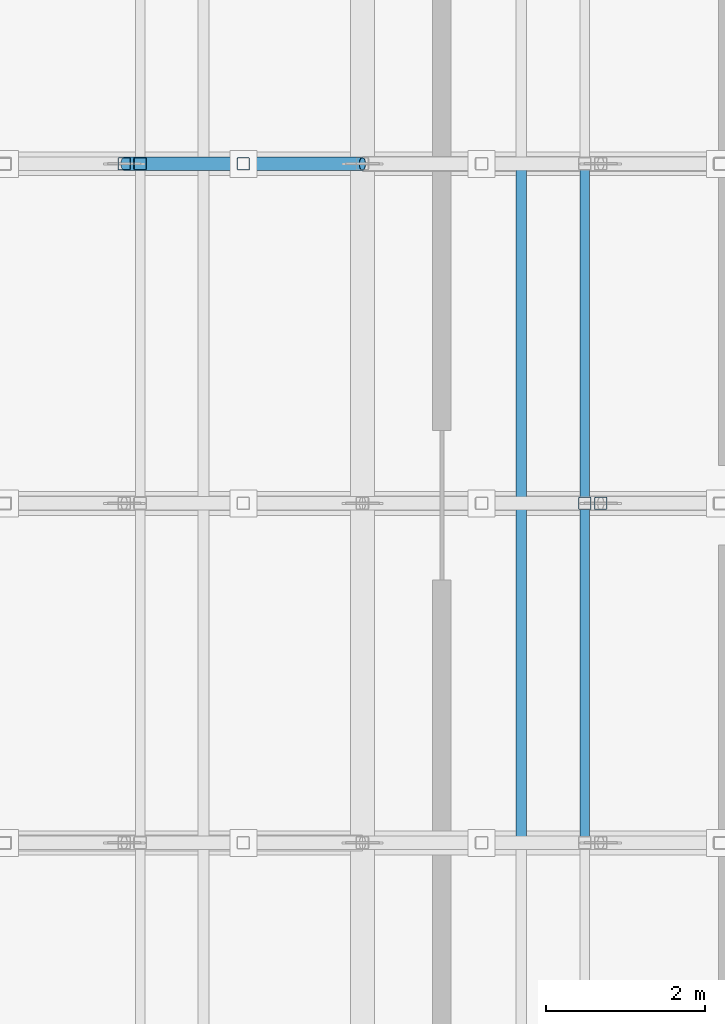
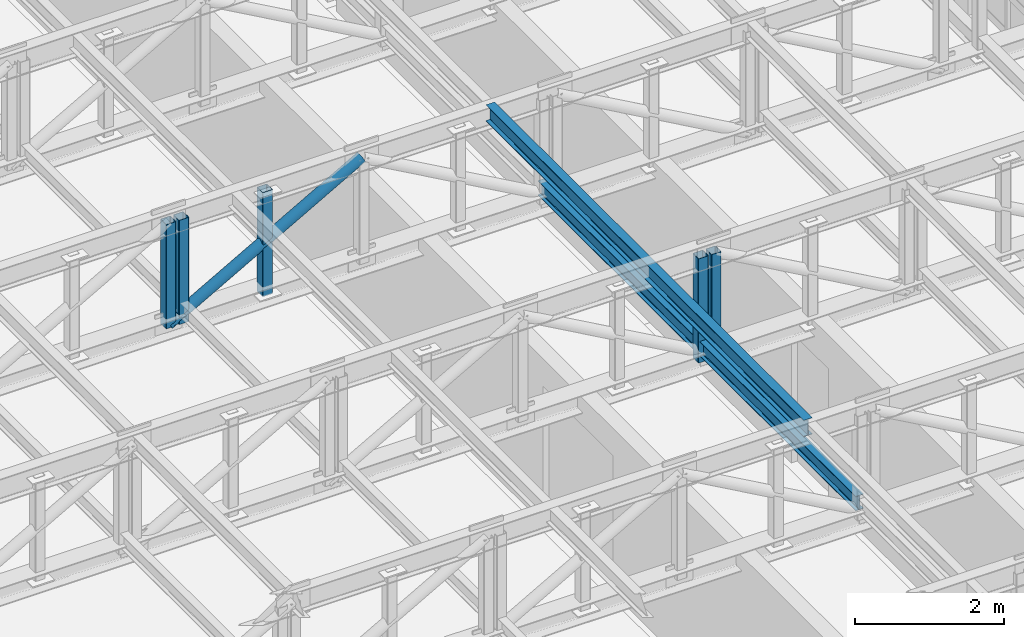
# One storey, part 43 of 128: 8 members.
"""IFC4 building model written with IfcOpenShell, lengths in metres."""

import ifcopenshell
import ifcopenshell.guid

model = None  # the IFC model being written
_history = None  # IfcOwnerHistory: only IFC2X3 demands one
_inside = {}  # id of a spatial element -> (the spatial element, [elements in it])
_under = {}  # id of a project, library or spatial element -> (it, [spatial elements below it])
_declared = {}  # id of a project -> (the project, [libraries it declares])
_typed = {}  # id of a type object -> (the type object, [elements of that type])
_made_of = {}  # id of a material, layer set ... -> (it, [elements and type objects made of it])


def new_model(schema):
    """Start an empty IFC model of exactly this schema.

    Asked for "IFC4X3", IfcOpenShell would pick the latest addendum, in which some entities
    have other attributes; the version numbers below select the first issue.
    IFC2X3 requires an IfcOwnerHistory on every rooted entity: one is made here for all.
    """
    global model, _history
    if schema == "IFC4X3":
        model = ifcopenshell.file(schema_version=(4, 3, 0, 0))
    else:
        model = ifcopenshell.file(schema=schema)
    _inside.clear()
    _under.clear()
    _declared.clear()
    _typed.clear()
    _made_of.clear()
    _history = None
    if model.schema == "IFC2X3":
        org = make("IfcOrganization", Name="unknown")
        user = make(
            "IfcPersonAndOrganization",
            ThePerson=make("IfcPerson", FamilyName="unknown"),
            TheOrganization=org,
        )
        app = make(
            "IfcApplication",
            ApplicationDeveloper=org,
            Version="unknown",
            ApplicationFullName="unknown",
            ApplicationIdentifier="unknown",
        )
        _history = make(
            "IfcOwnerHistory",
            OwningUser=user,
            OwningApplication=app,
            ChangeAction="ADDED",
            CreationDate=0,
        )
    return model


def make(cls, **values):
    """One entity of the class cls with the attributes given. An attribute that is None is left unset."""
    return model.create_entity(
        cls, **{name: value for name, value in values.items() if value is not None}
    )


def rooted(cls, **values):
    """An entity with a GlobalId (a new one), such as an element, a storey or a relation."""
    return make(cls, GlobalId=ifcopenshell.guid.new(), OwnerHistory=_history, **values)


def si_unit(unit_type, name, prefix=None):
    """IfcSIUnit, for example si_unit("LENGTHUNIT", "METRE", prefix="MILLI")."""
    return make("IfcSIUnit", UnitType=unit_type, Prefix=prefix, Name=name)


def assignment(units):
    """IfcUnitAssignment: the units of a project."""
    return None if units is None else make("IfcUnitAssignment", Units=units)


def point(xyz):
    """IfcCartesianPoint."""
    return None if xyz is None else make("IfcCartesianPoint", Coordinates=xyz)


def direction(xyz):
    """IfcDirection."""
    return None if xyz is None else make("IfcDirection", DirectionRatios=xyz)


def frame(location, z_axis=None, x_axis=None):
    """IfcAxis2Placement3D, a coordinate frame: its origin and axes. An axis left out is left unset."""
    return make(
        "IfcAxis2Placement3D",
        Location=point(location),
        Axis=direction(z_axis),
        RefDirection=direction(x_axis),
    )


def frame_2d(location, x_axis=None):
    """IfcAxis2Placement2D, a coordinate frame in the plane: its origin and x axis."""
    return make(
        "IfcAxis2Placement2D", Location=point(location), RefDirection=direction(x_axis)
    )


def origin():
    """The frame at (0, 0, 0) with its axes left unset."""
    return frame((0.0, 0.0, 0.0))


def origin_2d():
    """The frame at (0, 0) in the plane with its x axis left unset."""
    return frame_2d((0.0, 0.0))


def place(relative_to, where):
    """IfcLocalPlacement: puts the frame where relative to a parent placement (None: the world)."""
    return make(
        "IfcLocalPlacement", PlacementRelTo=relative_to, RelativePlacement=where
    )


def context(
    kind, dimensions, precision=None, world=None, true_north=None, identifier=None
):
    """IfcGeometricRepresentationContext, for example the 3D "Model" context."""
    return make(
        "IfcGeometricRepresentationContext",
        ContextIdentifier=identifier,
        ContextType=kind,
        CoordinateSpaceDimension=dimensions,
        Precision=precision,
        WorldCoordinateSystem=world,
        TrueNorth=true_north,
    )


def subcontext(parent, identifier, kind, view, scale=None):
    """IfcGeometricRepresentationSubContext, for example "Body" below "Model"."""
    return make(
        "IfcGeometricRepresentationSubContext",
        ContextIdentifier=identifier,
        ContextType=kind,
        ParentContext=parent,
        TargetScale=scale,
        TargetView=view,
    )


def project(units=None, contexts=None):
    """IfcProject with its units and contexts."""
    return rooted(
        "IfcProject",
        Name="project",
        RepresentationContexts=contexts,
        UnitsInContext=assignment(units),
    )


def spatial(cls, under=None, at=None, **own):
    """A site, building, storey or space (cls), placed at a placement, below another one or the project."""
    s = rooted(cls, ObjectPlacement=at, **own)
    if under is not None:
        _under.setdefault(under.id(), (under, []))[1].append(s)
    return s


def profile(cls, at=None, kind="AREA", **sizes):
    """A parametric profile (cls). Its sizes go by their IFC names, for example OverallWidth=200.0."""
    return make(cls, ProfileType=kind, Position=at, **sizes)


def hollow_rectangle(**sizes):
    """IfcRectangleHollowProfileDef."""
    return profile("IfcRectangleHollowProfileDef", **sizes)


def hollow_circle(**sizes):
    """IfcCircleHollowProfileDef."""
    return profile("IfcCircleHollowProfileDef", **sizes)


def i_section(**sizes):
    """IfcIShapeProfileDef."""
    return profile("IfcIShapeProfileDef", **sizes)


def extrude(swept, where, along, depth):
    """IfcExtrudedAreaSolid: the profile swept, set in the frame where, extruded along a direction by depth."""
    return make(
        "IfcExtrudedAreaSolid",
        SweptArea=swept,
        Position=where,
        ExtrudedDirection=direction(along),
        Depth=depth,
    )


def shape(context_of_items, identifier, shape_type, items):
    """IfcShapeRepresentation: the items that make up one representation, for example the "Body"."""
    return make(
        "IfcShapeRepresentation",
        ContextOfItems=context_of_items,
        RepresentationIdentifier=identifier,
        RepresentationType=shape_type,
        Items=items,
    )


def material(Name=None, Category=None):
    """IfcMaterial."""
    return make("IfcMaterial", Name=Name, Category=Category)


def material_profile(
    of_material, cross_section, Name=None, Category=None, Priority=None
):
    """IfcMaterialProfile: a cross section and its material."""
    return make(
        "IfcMaterialProfile",
        Name=Name,
        Material=of_material,
        Profile=cross_section,
        Priority=Priority,
        Category=Category,
    )


def profile_set(profiles, Name=None, composite=None):
    """IfcMaterialProfileSet."""
    return make(
        "IfcMaterialProfileSet",
        Name=Name,
        MaterialProfiles=profiles,
        CompositeProfile=composite,
    )


def made_of(thing, what):
    """Note that an element or type object is made of a material, layer set ...; save() writes the relation."""
    if what is not None:
        _made_of.setdefault(what.id(), (what, []))[1].append(thing)
    return thing


def type_object(cls, material=None, **own):
    """A type object (cls), such as IfcWallType, which elements share."""
    return made_of(rooted(cls, **own), material)


def element(
    cls,
    number,
    at=None,
    inside=None,
    cuts=None,
    type_object=None,
    material=None,
    context=None,
    identifier="Body",
    shape_type=None,
    held_by="IfcProductDefinitionShape",
    body=None,
    shapes=None,
    **own,
):
    """One element of the class cls, such as IfcWall. Its Tag is "e" and its number.

    at: its placement. inside: the storey or other place that contains it. cuts: it is an
    opening in that element (IfcRelVoidsElement). A single representation is given by context,
    identifier, shape_type and body (its items); several are given by shapes. held_by: the class
    of the entity that holds the representations. save() writes the other relations.
    """
    e = rooted(cls, Tag="e%d" % number, ObjectPlacement=at, **own)
    if body is not None:
        shapes = [shape(context, identifier, shape_type, body)]
    if shapes is not None:
        e.Representation = make(held_by, Representations=shapes)
    if inside is not None:
        _inside.setdefault(inside.id(), (inside, []))[1].append(e)
    if cuts is not None:
        rooted(
            "IfcRelVoidsElement", RelatingBuildingElement=cuts, RelatedOpeningElement=e
        )
    if type_object is not None:
        _typed.setdefault(type_object.id(), (type_object, []))[1].append(e)
    return made_of(e, material)


def aggregate(whole, parts):
    """IfcRelAggregates: a whole, such as a stair, and the parts it consists of."""
    return rooted("IfcRelAggregates", RelatingObject=whole, RelatedObjects=parts)


def save(model, path):
    """Write the relations noted so far, then the file.

    IfcRelAggregates (storeys below a building ...), IfcRelContainedInSpatialStructure (elements
    in a storey), IfcRelDefinesByType, IfcRelAssociatesMaterial and IfcRelDeclares: one each for
    every whole, place, type object, material and project.
    """
    for whole, parts in _under.values():
        aggregate(whole, parts)
    for where, things in _inside.values():
        rooted(
            "IfcRelContainedInSpatialStructure",
            RelatedElements=things,
            RelatingStructure=where,
        )
    for kind, things in _typed.values():
        rooted("IfcRelDefinesByType", RelatedObjects=things, RelatingType=kind)
    for what, things in _made_of.values():
        rooted("IfcRelAssociatesMaterial", RelatedObjects=things, RelatingMaterial=what)
    for by, libraries in _declared.values():
        rooted("IfcRelDeclares", RelatingContext=by, RelatedDefinitions=libraries)
    model.write(path)


model = new_model("IFC4")

# Units and contexts
model_context = context("Model", 3, precision=1e-05, world=origin(), true_north=direction((0.0, 1.0)))
body_context = subcontext(model_context, "Body", "Model", "MODEL_VIEW")
ifc_project = project(units=[si_unit("LENGTHUNIT", "METRE"), si_unit("AREAUNIT", "SQUARE_METRE"), si_unit("VOLUMEUNIT", "CUBIC_METRE"), si_unit("PLANEANGLEUNIT", "RADIAN"), si_unit("MASSUNIT", "GRAM", prefix="KILO")], contexts=[model_context])

# Site, building, storey
site_placement = place(None, origin())
site = spatial("IfcSite", under=ifc_project, at=site_placement, CompositionType="ELEMENT")
building_placement = place(site_placement, origin())
building = spatial("IfcBuilding", under=site, at=building_placement, Name="Serraforn Aerial Cableway Station", CompositionType="ELEMENT")
storey_placement = place(building_placement, frame((0.0, 0.0, 9.0)))
storey = spatial("IfcBuildingStorey", under=building, at=storey_placement, Name="L02", CompositionType="ELEMENT", Elevation=9.0)

# Members
ifc_material_1 = material(Name="Steel S355J2", Category="steel")
ifc_material_profile_1 = material_profile(ifc_material_1, hollow_circle(Radius=0.084228515625, WallThickness=0.008056640625, at=origin_2d()), Name="CHS 168.3x8.0")
ifc_profile_set_1 = profile_set([ifc_material_profile_1], Name="Steel S355J2")
member_type_1 = type_object("IfcMemberType", Name="MEM-DG-CHS168", PredefinedType="BRACE", material=ifc_profile_set_1)
member_1_placement = place(storey_placement, frame((153.0, 79.800048828125, 2.60009765625), z_axis=(0.871272396707, 0.0, 0.490799766439), x_axis=(0.0, 1.0, 0.0)))
element("IfcMember", 1, at=member_1_placement, inside=storey, type_object=member_type_1, Name="Garage Truss GT-07 Diagonal 4", PredefinedType="BRACE", context=body_context, shape_type="SweptSolid", body=[
    extrude(hollow_circle(Radius=0.084228515625, WallThickness=0.008056640625, at=origin_2d()), origin(), (0.0, 0.0, 1.0), 3.443359375),
])
ifc_material_2 = material(Name="Steel S355JR", Category="steel")
ifc_material_profile_2 = material_profile(ifc_material_2, i_section(OverallWidth=0.135009765625, OverallDepth=0.27001953125, WebThickness=0.006591796875, FlangeThickness=0.01025390625, FilletRadius=0.014892578125, at=origin_2d()), Name="IPE 270")
ifc_profile_set_2 = profile_set([ifc_material_profile_2], Name="Steel S355JR")
member_type_2 = type_object("IfcMemberType", Name="MEM-PR-IPE270", PredefinedType="PURLIN", material=ifc_profile_set_2)
member_2_placement = place(storey_placement, frame((158.0, 71.25, 4.3349609375), z_axis=(0.0, 1.0, 0.0), x_axis=(-1.0, 0.0, 0.0)))
element("IfcMember", 2, at=member_2_placement, inside=storey, type_object=member_type_2, Name="Fleet Garage Roof Purlin 4-4", PredefinedType="PURLIN", context=body_context, shape_type="SweptSolid", body=[
    extrude(i_section(OverallWidth=0.135009765625, OverallDepth=0.27001953125, WebThickness=0.006591796875, FlangeThickness=0.01025390625, FilletRadius=0.014892578125, at=origin_2d()), origin(), (0.0, 0.0, 1.0), 8.550048828125),
])
ifc_material_profile_3 = material_profile(ifc_material_1, i_section(OverallWidth=0.1201171875, OverallDepth=0.239990234375, WebThickness=0.006103515625, FlangeThickness=0.009765625, FilletRadius=0.014892578125, at=origin_2d()), Name="IPE 240")
ifc_profile_set_3 = profile_set([ifc_material_profile_3], Name="Steel S355J2")
member_type_3 = type_object("IfcMemberType", Name="MEM-RL-IPE240", PredefinedType="USERDEFINED", material=ifc_profile_set_3)
member_3_placement = place(storey_placement, frame((158.800048828125, 71.25, 2.820068359375), z_axis=(0.0, 1.0, 0.0), x_axis=(-1.0, 0.0, 0.0)))
element("IfcMember", 3, at=member_3_placement, inside=storey, type_object=member_type_3, Name="Overhead Cabin Storage Track Rail 4-3", ObjectType="OVERHEAD TRACK RAIL", PredefinedType="USERDEFINED", context=body_context, shape_type="SweptSolid", body=[
    extrude(i_section(OverallWidth=0.1201171875, OverallDepth=0.239990234375, WebThickness=0.006103515625, FlangeThickness=0.009765625, FilletRadius=0.014892578125, at=origin_2d()), origin(), (0.0, 0.0, 1.0), 8.550048828125),
])
ifc_material_profile_4 = material_profile(ifc_material_1, hollow_rectangle(XDim=0.159912109375, YDim=0.159912109375, WallThickness=0.008056640625, InnerFilletRadius=0.008056640625, OuterFilletRadius=0.01611328125, at=origin_2d()), Name="SHS 160x160x8.0")
ifc_profile_set_4 = profile_set([ifc_material_profile_4], Name="Steel S355J2")
member_type_4 = type_object("IfcMemberType", Name="MEM-VP-SHS160", PredefinedType="STRUT", material=ifc_profile_set_4)
for number, where, z_axis, x_axis, name in (
    (4, (159.0, 75.52490234375, 2.590087890625), (0.0, 0.0, 1.0), (1.0, 0.0, 0.0), "Garage Truss GT-06 Post 6"),
    (5, (153.0, 79.800048828125, 2.590087890625), (0.0, 0.0, 1.0), (1.0, 0.0, 0.0), "Garage Truss GT-07 Post 4"),
    (6, (158.800048828125, 75.52490234375, 2.590087890625), (0.0, 0.0, 1.0), (1.0, 0.0, 0.0), "Overhead Rail Suspension Post 028"),
    (7, (153.199951171875, 79.800048828125, 2.590087890625), (0.0, 0.0, 1.0), (1.0, 0.0, 0.0), "Overhead Rail Suspension Post 033"),
    (8, (154.5, 79.800048828125, 2.590087890625), (0.0, 0.0, 1.0), (1.0, 0.0, 0.0), "Garage Truss GT-07 Sub-Vertical 4"),
):
    element("IfcMember", number, at=place(storey_placement, frame(where, z_axis=z_axis, x_axis=x_axis)), inside=storey, type_object=member_type_4, Name=name, PredefinedType="STRUT", context=body_context, shape_type="SweptSolid", body=[
        extrude(hollow_rectangle(XDim=0.159912109375, YDim=0.159912109375, WallThickness=0.008056640625, InnerFilletRadius=0.008056640625, OuterFilletRadius=0.01611328125, at=origin_2d()), origin(), (0.0, 0.0, 1.0), 1.7099609375),
    ])

save(model, "model.ifc")
